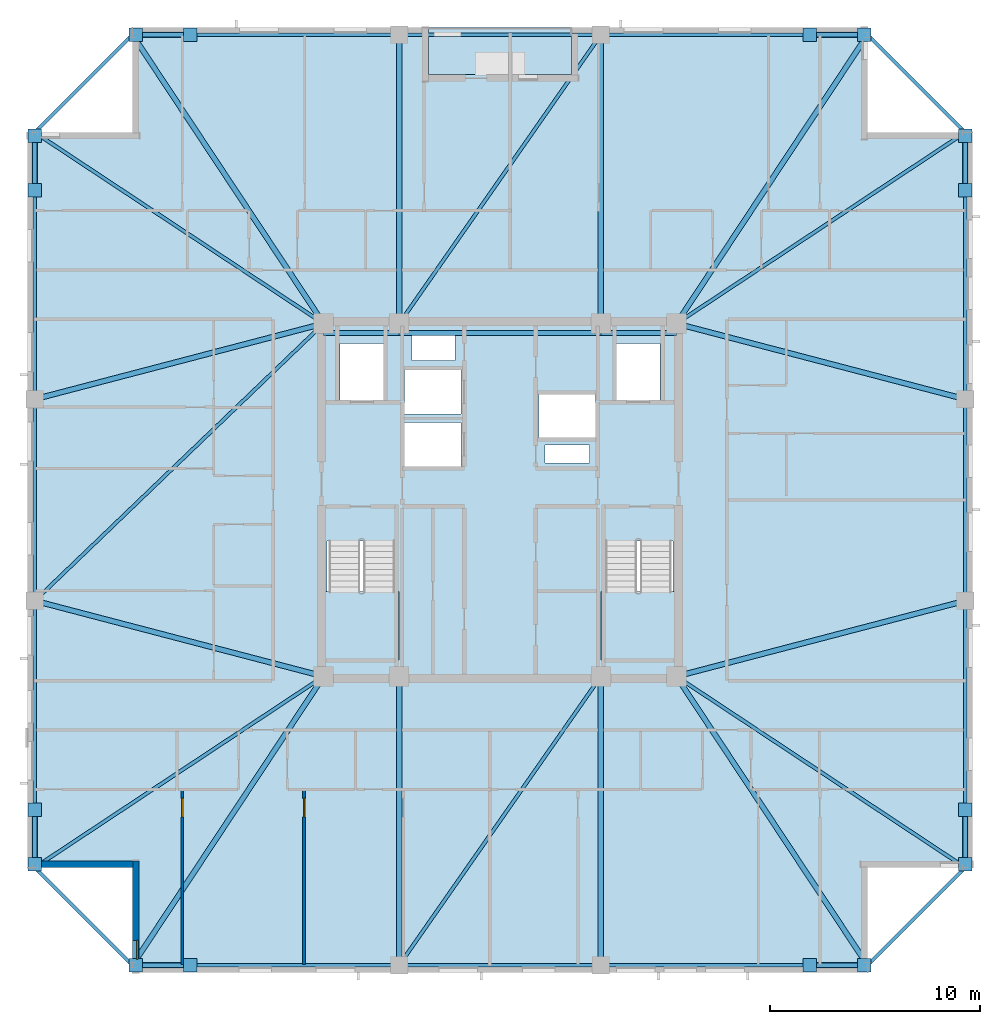
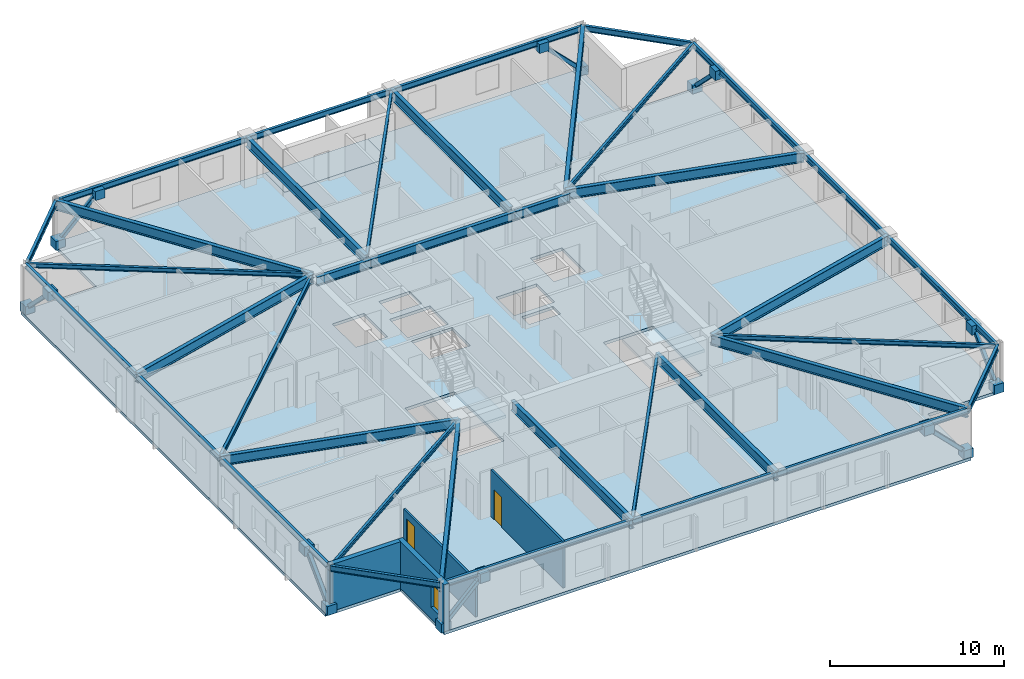
# One storey, part 6 of 17: 38 beams, 16 plates, 8 members, 4 slabs, 4 walls, 2 doors, 1 window, 3 openings, 2 elements without a shape of their own.
"""IFC4 building model written with IfcOpenShell, lengths in metres."""

from ifc_helpers import new_model, si_unit, direction, frame, frame_2d, origin, origin_2d, place, context, subcontext, project, spatial, polyline, rectangle, hollow_rectangle, i_section, outline, extrude, material, layer, layer_set, material_profile, profile_set, type_object, element, fill, aggregate, save


model = new_model("IFC4")

# Units and contexts
model_context = context("Model", 3, precision=1e-05, world=origin(), true_north=direction((0.0, 1.0)))
body_context = subcontext(model_context, "Body", "Model", "MODEL_VIEW")
ifc_project = project(units=[si_unit("LENGTHUNIT", "METRE"), si_unit("AREAUNIT", "SQUARE_METRE"), si_unit("VOLUMEUNIT", "CUBIC_METRE"), si_unit("PLANEANGLEUNIT", "RADIAN"), si_unit("MASSUNIT", "GRAM", prefix="KILO")], contexts=[model_context])

# Site, building, storey
site_placement = place(None, origin())
site = spatial("IfcSite", under=ifc_project, at=site_placement, CompositionType="ELEMENT")
building_placement = place(site_placement, origin())
building = spatial("IfcBuilding", under=site, at=building_placement, Name="Cairnveth Concourse Tower", CompositionType="ELEMENT")
storey_placement = place(building_placement, frame((0.0, 0.0, 209.5)))
storey = spatial("IfcBuildingStorey", under=building, at=storey_placement, Name="L57", CompositionType="ELEMENT", Elevation=209.5)

# Beams
ifc_material_1 = material(Name="Steel Grade 350", Category="steel")
ifc_material_profile_1 = material_profile(ifc_material_1, i_section(OverallWidth=0.22802734375, OverallDepth=0.60693359375, WebThickness=0.01123046875, FlangeThickness=0.017333984375, FilletRadius=0.013916015625, at=origin_2d()), Name="610UB113")
ifc_profile_set_1 = profile_set([ifc_material_profile_1], Name="Steel Grade 350")
beam_type_1 = type_object("IfcBeamType", Name="CORE TIE BEAM 610UB113", PredefinedType="T_BEAM", material=ifc_profile_set_1)
for number, where, z_axis, x_axis, name in (
    (1, (43.60009765625, 46.949951171875, 2.986572265625), (1.0, 0.0, 0.0), (0.0, 1.0, 0.0), "Beam CT-N1 L57"),
    (2, (56.800048828125, 46.949951171875, 2.986572265625), (1.0, 0.0, 0.0), (0.0, 1.0, 0.0), "Beam CT-N3 L57"),
):
    element("IfcBeam", number, at=place(storey_placement, frame(where, z_axis=z_axis, x_axis=x_axis)), inside=storey, type_object=beam_type_1, Name=name, PredefinedType="T_BEAM", context=body_context, shape_type="SweptSolid", body=[
        extrude(i_section(OverallWidth=0.22802734375, OverallDepth=0.60693359375, WebThickness=0.01123046875, FlangeThickness=0.017333984375, FilletRadius=0.013916015625, at=origin_2d()), origin(), (0.0, 0.0, 1.0), 3.599853515625),
    ])
beam_1_placement = place(storey_placement, frame((47.199951171875, 46.949951171875, 2.986572265625), z_axis=(1.0, 0.0, 0.0), x_axis=(0.0, 1.0, 0.0)))
element("IfcBeam", 3, at=beam_1_placement, inside=storey, type_object=beam_type_1, Name="Beam CT-N2 L57", PredefinedType="T_BEAM", context=body_context, shape_type="SweptSolid", body=[
    extrude(i_section(OverallWidth=0.22802734375, OverallDepth=0.60693359375, WebThickness=0.01123046875, FlangeThickness=0.017333984375, FilletRadius=0.013916015625, at=origin_2d()), origin(), (0.0, 0.0, 1.0), 9.60009765625),
])
ifc_material_profile_2 = material_profile(ifc_material_1, i_section(OverallWidth=0.166015625, OverallDepth=0.306884765625, WebThickness=0.006591796875, FlangeThickness=0.01171875, FilletRadius=0.010986328125, at=origin_2d()), Name="310UB46.2")
ifc_profile_set_2 = profile_set([ifc_material_profile_2], Name="Steel Grade 350")
beam_type_2 = type_object("IfcBeamType", Name="ZONE 3 FLOOR JOIST 310UB46.2", PredefinedType="JOIST", material=ifc_profile_set_2)
for number, where, z_axis, x_axis, name in (
    (4, (29.85009765625, 21.5, 3.136474609375), (0.833908956207, 0.551902031848, 0.0), (-0.551902031848, 0.833908956207, 0.0), "Beam FJ-CSW2 L57"),
    (5, (74.14990234375, 21.5, 3.136474609375), (-0.833908956207, 0.551902031848, 0.0), (-0.551902031848, -0.833908956207, 0.0), "Beam FJ-CSE2 L57"),
    (6, (74.14990234375, 56.5, 3.136474609375), (-0.833908956207, -0.551902031848, 0.0), (0.551902031848, -0.833908956207, 0.0), "Beam FJ-CNE2 L57"),
    (7, (29.85009765625, 56.5, 3.136474609375), (0.833908956207, -0.551902031848, 0.0), (0.551902031848, 0.833908956207, 0.0), "Beam FJ-CNW2 L57"),
):
    element("IfcBeam", number, at=place(storey_placement, frame(where, z_axis=z_axis, x_axis=x_axis)), inside=storey, type_object=beam_type_2, Name=name, PredefinedType="JOIST", context=body_context, shape_type="SweptSolid", body=[
        extrude(i_section(OverallWidth=0.166015625, OverallDepth=0.306884765625, WebThickness=0.006591796875, FlangeThickness=0.01171875, FilletRadius=0.010986328125, at=origin_2d()), origin(), (0.0, 0.0, 1.0), 16.488525390625),
    ])
for number, where, z_axis, x_axis, name in (
    (8, (47.199951171875, 16.85009765625, 3.136474609375), (0.572465304893, 0.819928944905, 0.0), (-0.819928944905, 0.572465304893, 0.0), "Beam FJ-S-M1 L57"),
    (9, (47.199951171875, 47.39990234375, 3.136474609375), (0.572465304893, 0.819928944905, 0.0), (-0.819928944905, 0.572465304893, 0.0), "Beam FJ-N-M1 L57"),
):
    element("IfcBeam", number, at=place(storey_placement, frame(where, z_axis=z_axis, x_axis=x_axis)), inside=storey, type_object=beam_type_2, Name=name, PredefinedType="JOIST", context=body_context, shape_type="SweptSolid", body=[
        extrude(i_section(OverallWidth=0.166015625, OverallDepth=0.306884765625, WebThickness=0.006591796875, FlangeThickness=0.01171875, FilletRadius=0.010986328125, at=origin_2d()), origin(), (0.0, 0.0, 1.0), 16.769775390625),
    ])
beam_2_placement = place(storey_placement, frame((29.85009765625, 34.199951171875, 3.136474609375), z_axis=(0.721388600838, 0.692530495055, 0.0), x_axis=(-0.692530495055, 0.721388600838, 0.0)))
element("IfcBeam", 10, at=beam_2_placement, inside=storey, type_object=beam_type_2, Name="Beam FJ-W-M1 L57", PredefinedType="JOIST", context=body_context, shape_type="SweptSolid", body=[
    extrude(i_section(OverallWidth=0.166015625, OverallDepth=0.306884765625, WebThickness=0.006591796875, FlangeThickness=0.01171875, FilletRadius=0.010986328125, at=origin_2d()), origin(), (0.0, 0.0, 1.0), 19.060546875),
])

# Members
ifc_material_2 = material(Name="Steel C350L0 (350 MPa)", Category="steel")
ifc_material_profile_3 = material_profile(ifc_material_2, hollow_rectangle(XDim=0.25, YDim=0.25, WallThickness=0.012451171875, InnerFilletRadius=0.012939453125, OuterFilletRadius=0.02490234375, at=origin_2d()), Name="250x250x12.5SHS")
ifc_profile_set_3 = profile_set([ifc_material_profile_3], Name="Steel C350L0 (350 MPa)")
member_type = type_object("IfcMemberType", Name="ZONE 3 PIER BRACE 250X250X12.5SHS", PredefinedType="BRACE", material=ifc_profile_set_3)
for number, where, z_axis, x_axis, name in (
    (11, (34.64990234375, 16.85009765625, 0.25), (0.708469186186, 0.0, 0.705741746126), (0.0, 1.0, 0.0), "Structural Brace PB-S1 L57"),
    (12, (69.35009765625, 16.85009765625, 0.25), (-0.708469186186, 0.0, 0.705741746126), (0.0, -1.0, 0.0), "Structural Brace PB-S2 L57"),
    (13, (34.64990234375, 61.14990234375, 0.25), (0.708469186186, 0.0, 0.705741746126), (0.0, 1.0, 0.0), "Structural Brace PB-N1 L57"),
    (14, (69.35009765625, 61.14990234375, 0.25), (-0.708469186186, 0.0, 0.705741746126), (0.0, -1.0, 0.0), "Structural Brace PB-N2 L57"),
    (15, (29.85009765625, 21.64990234375, 0.25), (0.0, 0.708469186186, 0.705741746126), (-1.0, 0.0, 0.0), "Structural Brace PB-W1 L57"),
    (16, (29.85009765625, 56.35009765625, 0.25), (0.0, -0.708469186186, 0.705741746126), (1.0, 0.0, 0.0), "Structural Brace PB-W2 L57"),
    (17, (74.14990234375, 21.64990234375, 0.25), (0.0, 0.708469186186, 0.705741746126), (-1.0, 0.0, 0.0), "Structural Brace PB-E1 L57"),
    (18, (74.14990234375, 56.35009765625, 0.25), (0.0, -0.708469186186, 0.705741746126), (1.0, 0.0, 0.0), "Structural Brace PB-E2 L57"),
):
    element("IfcMember", number, at=place(storey_placement, frame(where, z_axis=z_axis, x_axis=x_axis)), inside=storey, type_object=member_type, Name=name, PredefinedType="BRACE", context=body_context, shape_type="SweptSolid", body=[
        extrude(hollow_rectangle(XDim=0.25, YDim=0.25, WallThickness=0.012451171875, InnerFilletRadius=0.012939453125, OuterFilletRadius=0.02490234375, at=origin_2d()), origin(), (0.0, 0.0, 1.0), 3.669921875),
    ])

# Beams
ifc_material_profile_4 = material_profile(ifc_material_1, i_section(OverallWidth=0.25, OverallDepth=0.69189453125, WebThickness=0.010009765625, FlangeThickness=0.02490234375, at=origin_2d()), Name="700WB150")
ifc_profile_set_4 = profile_set([ifc_material_profile_4], Name="Steel Grade 350")
beam_type_3 = type_object("IfcBeamType", Name="ZONE 3 RADIAL GIRDER 700WB150", PredefinedType="BEAM", material=ifc_profile_set_4)
for number, where, z_axis, x_axis, name in (
    (19, (47.199951171875, 16.85009765625, 2.944091796875), (0.0, 1.0, 0.0), (-1.0, 0.0, 0.0), "Beam RG-S1 L57"),
    (20, (56.800048828125, 16.85009765625, 2.944091796875), (0.0, 1.0, 0.0), (-1.0, 0.0, 0.0), "Beam RG-S2 L57"),
    (21, (47.199951171875, 47.39990234375, 2.944091796875), (0.0, 1.0, 0.0), (-1.0, 0.0, 0.0), "Beam RG-N1 L57"),
    (22, (56.800048828125, 47.39990234375, 2.944091796875), (0.0, 1.0, 0.0), (-1.0, 0.0, 0.0), "Beam RG-N2 L57"),
):
    element("IfcBeam", number, at=place(storey_placement, frame(where, z_axis=z_axis, x_axis=x_axis)), inside=storey, type_object=beam_type_3, Name=name, PredefinedType="BEAM", context=body_context, shape_type="SweptSolid", body=[
        extrude(i_section(OverallWidth=0.25, OverallDepth=0.69189453125, WebThickness=0.010009765625, FlangeThickness=0.02490234375, at=origin_2d()), origin(), (0.0, 0.0, 1.0), 13.75),
    ])
for number, where, z_axis, x_axis, name in (
    (23, (29.85009765625, 34.199951171875, 2.944091796875), (0.967395273598, -0.253271365575, 0.0), (0.253271365575, 0.967395273598, 0.0), "Beam RG-W1 L57"),
    (24, (29.85009765625, 43.800048828125, 2.944091796875), (0.967395273598, 0.253271365575, 0.0), (-0.253271365575, 0.967395273598, 0.0), "Beam RG-W2 L57"),
    (25, (60.39990234375, 30.60009765625, 2.944091796875), (0.967395273598, 0.253271365575, 0.0), (-0.253271365575, 0.967395273598, 0.0), "Beam RG-E1 L57"),
    (26, (60.39990234375, 47.39990234375, 2.944091796875), (0.967395273598, -0.253271365575, 0.0), (0.253271365575, 0.967395273598, 0.0), "Beam RG-E2 L57"),
):
    element("IfcBeam", number, at=place(storey_placement, frame(where, z_axis=z_axis, x_axis=x_axis)), inside=storey, type_object=beam_type_3, Name=name, PredefinedType="BEAM", context=body_context, shape_type="SweptSolid", body=[
        extrude(i_section(OverallWidth=0.25, OverallDepth=0.69189453125, WebThickness=0.010009765625, FlangeThickness=0.02490234375, at=origin_2d()), origin(), (0.0, 0.0, 1.0), 14.21337890625),
    ])
for number, where, z_axis, x_axis, name in (
    (27, (34.5, 16.85009765625, 2.944091796875), (0.551902031848, 0.833908956207, 0.0), (-0.833908956207, 0.551902031848, 0.0), "Beam RG-CSW L57"),
    (28, (69.5, 16.85009765625, 2.944091796875), (-0.551902031848, 0.833908956207, 0.0), (-0.833908956207, -0.551902031848, 0.0), "Beam RG-CSE L57"),
    (29, (69.5, 61.14990234375, 2.944091796875), (-0.551902031848, -0.833908956207, 0.0), (0.833908956207, -0.551902031848, 0.0), "Beam RG-CNE L57"),
    (30, (34.5, 61.14990234375, 2.944091796875), (0.551902031848, -0.833908956207, 0.0), (0.833908956207, 0.551902031848, 0.0), "Beam RG-CNW L57"),
):
    element("IfcBeam", number, at=place(storey_placement, frame(where, z_axis=z_axis, x_axis=x_axis)), inside=storey, type_object=beam_type_3, Name=name, PredefinedType="BEAM", context=body_context, shape_type="SweptSolid", body=[
        extrude(i_section(OverallWidth=0.25, OverallDepth=0.69189453125, WebThickness=0.010009765625, FlangeThickness=0.02490234375, at=origin_2d()), origin(), (0.0, 0.0, 1.0), 16.488525390625),
    ])
ifc_material_profile_5 = material_profile(ifc_material_1, i_section(OverallWidth=0.177978515625, OverallDepth=0.406005859375, WebThickness=0.0078125, FlangeThickness=0.0126953125, FilletRadius=0.010986328125, at=origin_2d()), Name="410UB59.7")
ifc_profile_set_5 = profile_set([ifc_material_profile_5], Name="Steel Grade 350")
beam_type_4 = type_object("IfcBeamType", Name="ZONE 3 SPANDREL BEAM 410UB59.7", PredefinedType="SPANDREL", material=ifc_profile_set_5)
beam_3_placement = place(storey_placement, frame((34.5, 16.85009765625, 3.0869140625), z_axis=(1.0, 0.0, 0.0), x_axis=(0.0, 1.0, 0.0)))
element("IfcBeam", 31, at=beam_3_placement, inside=storey, type_object=beam_type_4, Name="Beam SP-S1 L57", PredefinedType="SPANDREL", context=body_context, shape_type="SweptSolid", body=[
    extrude(i_section(OverallWidth=0.177978515625, OverallDepth=0.406005859375, WebThickness=0.0078125, FlangeThickness=0.0126953125, FilletRadius=0.010986328125, at=origin_2d()), origin(), (0.0, 0.0, 1.0), 12.699951171875),
])
beam_4_placement = place(storey_placement, frame((47.199951171875, 16.85009765625, 3.0869140625), z_axis=(1.0, 0.0, 0.0), x_axis=(0.0, 1.0, 0.0)))
element("IfcBeam", 32, at=beam_4_placement, inside=storey, type_object=beam_type_4, Name="Beam SP-S2 L57", PredefinedType="SPANDREL", context=body_context, shape_type="SweptSolid", body=[
    extrude(i_section(OverallWidth=0.177978515625, OverallDepth=0.406005859375, WebThickness=0.0078125, FlangeThickness=0.0126953125, FilletRadius=0.010986328125, at=origin_2d()), origin(), (0.0, 0.0, 1.0), 9.60009765625),
])
for number, where, z_axis, x_axis, name in (
    (33, (56.800048828125, 16.85009765625, 3.0869140625), (1.0, 0.0, 0.0), (0.0, 1.0, 0.0), "Beam SP-S3 L57"),
    (34, (34.5, 61.14990234375, 3.0869140625), (1.0, 0.0, 0.0), (0.0, 1.0, 0.0), "Beam SP-N1 L57"),
):
    element("IfcBeam", number, at=place(storey_placement, frame(where, z_axis=z_axis, x_axis=x_axis)), inside=storey, type_object=beam_type_4, Name=name, PredefinedType="SPANDREL", context=body_context, shape_type="SweptSolid", body=[
        extrude(i_section(OverallWidth=0.177978515625, OverallDepth=0.406005859375, WebThickness=0.0078125, FlangeThickness=0.0126953125, FilletRadius=0.010986328125, at=origin_2d()), origin(), (0.0, 0.0, 1.0), 12.699951171875),
    ])
beam_5_placement = place(storey_placement, frame((47.199951171875, 61.14990234375, 3.0869140625), z_axis=(1.0, 0.0, 0.0), x_axis=(0.0, 1.0, 0.0)))
element("IfcBeam", 35, at=beam_5_placement, inside=storey, type_object=beam_type_4, Name="Beam SP-N2 L57", PredefinedType="SPANDREL", context=body_context, shape_type="SweptSolid", body=[
    extrude(i_section(OverallWidth=0.177978515625, OverallDepth=0.406005859375, WebThickness=0.0078125, FlangeThickness=0.0126953125, FilletRadius=0.010986328125, at=origin_2d()), origin(), (0.0, 0.0, 1.0), 9.60009765625),
])
for number, where, z_axis, x_axis, name in (
    (36, (56.800048828125, 61.14990234375, 3.0869140625), (1.0, 0.0, 0.0), (0.0, 1.0, 0.0), "Beam SP-N3 L57"),
    (37, (29.85009765625, 21.5, 3.0869140625), (0.0, 1.0, 0.0), (-1.0, 0.0, 0.0), "Beam SP-W1 L57"),
):
    element("IfcBeam", number, at=place(storey_placement, frame(where, z_axis=z_axis, x_axis=x_axis)), inside=storey, type_object=beam_type_4, Name=name, PredefinedType="SPANDREL", context=body_context, shape_type="SweptSolid", body=[
        extrude(i_section(OverallWidth=0.177978515625, OverallDepth=0.406005859375, WebThickness=0.0078125, FlangeThickness=0.0126953125, FilletRadius=0.010986328125, at=origin_2d()), origin(), (0.0, 0.0, 1.0), 12.699951171875),
    ])
beam_6_placement = place(storey_placement, frame((29.85009765625, 34.199951171875, 3.0869140625), z_axis=(0.0, 1.0, 0.0), x_axis=(-1.0, 0.0, 0.0)))
element("IfcBeam", 38, at=beam_6_placement, inside=storey, type_object=beam_type_4, Name="Beam SP-W2 L57", PredefinedType="SPANDREL", context=body_context, shape_type="SweptSolid", body=[
    extrude(i_section(OverallWidth=0.177978515625, OverallDepth=0.406005859375, WebThickness=0.0078125, FlangeThickness=0.0126953125, FilletRadius=0.010986328125, at=origin_2d()), origin(), (0.0, 0.0, 1.0), 9.60009765625),
])
for number, where, z_axis, x_axis, name in (
    (39, (29.85009765625, 43.800048828125, 3.0869140625), (0.0, 1.0, 0.0), (-1.0, 0.0, 0.0), "Beam SP-W3 L57"),
    (40, (74.14990234375, 21.5, 3.0869140625), (0.0, 1.0, 0.0), (-1.0, 0.0, 0.0), "Beam SP-E1 L57"),
):
    element("IfcBeam", number, at=place(storey_placement, frame(where, z_axis=z_axis, x_axis=x_axis)), inside=storey, type_object=beam_type_4, Name=name, PredefinedType="SPANDREL", context=body_context, shape_type="SweptSolid", body=[
        extrude(i_section(OverallWidth=0.177978515625, OverallDepth=0.406005859375, WebThickness=0.0078125, FlangeThickness=0.0126953125, FilletRadius=0.010986328125, at=origin_2d()), origin(), (0.0, 0.0, 1.0), 12.699951171875),
    ])
beam_7_placement = place(storey_placement, frame((74.14990234375, 34.199951171875, 3.0869140625), z_axis=(0.0, 1.0, 0.0), x_axis=(-1.0, 0.0, 0.0)))
element("IfcBeam", 41, at=beam_7_placement, inside=storey, type_object=beam_type_4, Name="Beam SP-E2 L57", PredefinedType="SPANDREL", context=body_context, shape_type="SweptSolid", body=[
    extrude(i_section(OverallWidth=0.177978515625, OverallDepth=0.406005859375, WebThickness=0.0078125, FlangeThickness=0.0126953125, FilletRadius=0.010986328125, at=origin_2d()), origin(), (0.0, 0.0, 1.0), 9.60009765625),
])
beam_8_placement = place(storey_placement, frame((74.14990234375, 43.800048828125, 3.0869140625), z_axis=(0.0, 1.0, 0.0), x_axis=(-1.0, 0.0, 0.0)))
element("IfcBeam", 42, at=beam_8_placement, inside=storey, type_object=beam_type_4, Name="Beam SP-E3 L57", PredefinedType="SPANDREL", context=body_context, shape_type="SweptSolid", body=[
    extrude(i_section(OverallWidth=0.177978515625, OverallDepth=0.406005859375, WebThickness=0.0078125, FlangeThickness=0.0126953125, FilletRadius=0.010986328125, at=origin_2d()), origin(), (0.0, 0.0, 1.0), 12.699951171875),
])
for number, where, z_axis, x_axis, name in (
    (43, (29.85009765625, 21.5, 3.0869140625), (0.707106781187, -0.707106781187, 0.0), (0.707106781187, 0.707106781187, 0.0), "Beam SP-SW L57"),
    (44, (69.5, 16.85009765625, 3.0869140625), (0.707106781187, 0.707106781187, 0.0), (-0.707106781187, 0.707106781187, 0.0), "Beam SP-SE L57"),
    (45, (69.5, 61.14990234375, 3.0869140625), (0.707106781187, -0.707106781187, 0.0), (0.707106781187, 0.707106781187, 0.0), "Beam SP-NE L57"),
    (46, (29.85009765625, 56.5, 3.0869140625), (0.707106781187, 0.707106781187, 0.0), (-0.707106781187, 0.707106781187, 0.0), "Beam SP-NW L57"),
):
    element("IfcBeam", number, at=place(storey_placement, frame(where, z_axis=z_axis, x_axis=x_axis)), inside=storey, type_object=beam_type_4, Name=name, PredefinedType="SPANDREL", context=body_context, shape_type="SweptSolid", body=[
        extrude(i_section(OverallWidth=0.177978515625, OverallDepth=0.406005859375, WebThickness=0.0078125, FlangeThickness=0.0126953125, FilletRadius=0.010986328125, at=origin_2d()), origin(), (0.0, 0.0, 1.0), 6.575927734375),
    ])

# Plates
ifc_layer_1 = layer(ifc_material_1, 0.031982421875)
ifc_layer_set_1 = layer_set([ifc_layer_1], Name="Steel Grade 350")
plate_type = type_object("IfcPlateType", Name="PERIMETER BRACE GUSSET PLATE 32", PredefinedType="USERDEFINED", material=ifc_layer_set_1)
for number, where, z_axis, x_axis, name in (
    (47, (34.64990234375, 16.85009765625, -0.06982421875), (0.0, 0.0, 1.0), (1.0, 0.0, 0.0), "Structural Node Plate 0997 L57"),
    (48, (37.25, 16.85009765625, 2.52001953125), (0.0, 0.0, 1.0), (1.0, 0.0, 0.0), "Structural Node Plate 0998 L57"),
    (49, (69.35009765625, 16.85009765625, -0.06982421875), (0.0, 0.0, 1.0), (1.0, 0.0, 0.0), "Structural Node Plate 0999 L57"),
    (50, (66.75, 16.85009765625, 2.52001953125), (0.0, 0.0, 1.0), (1.0, 0.0, 0.0), "Structural Node Plate 1000 L57"),
    (51, (34.64990234375, 61.14990234375, -0.06982421875), (0.0, 0.0, 1.0), (1.0, 0.0, 0.0), "Structural Node Plate 1001 L57"),
    (52, (37.25, 61.14990234375, 2.52001953125), (0.0, 0.0, 1.0), (1.0, 0.0, 0.0), "Structural Node Plate 1002 L57"),
    (53, (69.35009765625, 61.14990234375, -0.06982421875), (0.0, 0.0, 1.0), (1.0, 0.0, 0.0), "Structural Node Plate 1003 L57"),
    (54, (66.75, 61.14990234375, 2.52001953125), (0.0, 0.0, 1.0), (1.0, 0.0, 0.0), "Structural Node Plate 1004 L57"),
    (55, (29.85009765625, 21.64990234375, -0.06982421875), (0.0, 0.0, 1.0), (1.0, 0.0, 0.0), "Structural Node Plate 1005 L57"),
    (56, (29.85009765625, 24.25, 2.52001953125), (0.0, 0.0, 1.0), (1.0, 0.0, 0.0), "Structural Node Plate 1006 L57"),
    (57, (29.85009765625, 56.35009765625, -0.06982421875), (0.0, 0.0, 1.0), (1.0, 0.0, 0.0), "Structural Node Plate 1007 L57"),
    (58, (29.85009765625, 53.75, 2.52001953125), (0.0, 0.0, 1.0), (1.0, 0.0, 0.0), "Structural Node Plate 1008 L57"),
    (59, (74.14990234375, 21.64990234375, -0.06982421875), (0.0, 0.0, 1.0), (1.0, 0.0, 0.0), "Structural Node Plate 1009 L57"),
    (60, (74.14990234375, 24.25, 2.52001953125), (0.0, 0.0, 1.0), (1.0, 0.0, 0.0), "Structural Node Plate 1010 L57"),
    (61, (74.14990234375, 56.35009765625, -0.06982421875), (0.0, 0.0, 1.0), (1.0, 0.0, 0.0), "Structural Node Plate 1011 L57"),
    (62, (74.14990234375, 53.75, 2.52001953125), (0.0, 0.0, 1.0), (1.0, 0.0, 0.0), "Structural Node Plate 1012 L57"),
):
    element("IfcPlate", number, at=place(storey_placement, frame(where, z_axis=z_axis, x_axis=x_axis)), inside=storey, type_object=plate_type, Name=name, ObjectType="GUSSET PLATE", PredefinedType="USERDEFINED", context=body_context, shape_type="SweptSolid", body=[
        extrude(rectangle(XDim=0.639892578125, YDim=0.639892578125, at=origin_2d()), origin(), (0.0, 0.0, 1.0), 0.639892578125),
    ])

# Slab
ifc_material_3 = material(Name="Concrete N50 (50 MPa)", Category="concrete")
ifc_layer_2 = layer(ifc_material_3, 0.18994140625)
ifc_layer_set_2 = layer_set([ifc_layer_2], Name="Concrete N50 (50 MPa)")
slab_type_1 = type_object("IfcSlabType", Name="SPIRAL OUTDOOR TERRACE SLAB 190", PredefinedType="FLOOR", material=ifc_layer_set_2)
slab_1_placement = place(storey_placement, frame((0.0, 0.0, -0.18994140625)))
element("IfcSlab", 63, at=slab_1_placement, inside=storey, type_object=slab_type_1, Name="Spiral Terrace Slab L57", PredefinedType="FLOOR", context=body_context, shape_type="SweptSolid", body=[
    extrude(outline(polyline([(48.60009765625, 59.25), (55.39990234375, 59.25), (55.39990234375, 61.5), (48.60009765625, 61.5), (48.60009765625, 59.25)])), origin(), (0.0, 0.0, 1.0), 0.18994140625),
])

# Stair, slab
ifc_material_4 = material(Name="Precast concrete N50 (50 MPa)", Category="concrete")
stair_type = type_object("IfcStairType", Name="CORE DOG-LEG FIRE STAIR 1500", PredefinedType="HALF_TURN_STAIR", material=ifc_material_4)
stair_1_placement = place(storey_placement, origin())
stair_1 = element("IfcStair", 64, at=stair_1_placement, inside=storey, type_object=stair_type, Name="L57 Fire-Isolated Stair ST-1", PredefinedType="HALF_TURN_STAIR")
ifc_layer_3 = layer(ifc_material_3, 0.199951171875)
ifc_layer_set_3 = layer_set([ifc_layer_3], Name="Concrete N50 (50 MPa)")
slab_type_2 = type_object("IfcSlabType", Name="STAIR HALF LANDING SLAB 200", PredefinedType="LANDING", material=ifc_layer_set_3)
slab_2_placement = place(storey_placement, frame((0.0, 0.0, 1.550048828125)))
slab_2 = element("IfcSlab", 65, at=slab_2_placement, type_object=slab_type_2, Name="ST-1 landing 1", PredefinedType="LANDING", context=body_context, shape_type="SweptSolid", body=[
    extrude(outline(polyline([(43.6201171875, 34.639892578125), (43.6201171875, 31.3701171875), (47.199951171875, 31.3701171875), (47.199951171875, 34.639892578125), (43.6201171875, 34.639892578125)])), origin(), (0.0, 0.0, 1.0), 0.199951171875),
])
aggregate(stair_1, [slab_2])

stair_2_placement = place(storey_placement, origin())
stair_2 = element("IfcStair", 66, at=stair_2_placement, inside=storey, type_object=stair_type, Name="L57 Fire-Isolated Stair ST-2", PredefinedType="HALF_TURN_STAIR")
slab_3_placement = place(storey_placement, frame((0.0, 0.0, 1.550048828125)))
slab_3 = element("IfcSlab", 67, at=slab_3_placement, type_object=slab_type_2, Name="ST-2 landing 1", PredefinedType="LANDING", context=body_context, shape_type="SweptSolid", body=[
    extrude(outline(polyline([(56.800048828125, 34.639892578125), (56.800048828125, 31.3701171875), (60.3798828125, 31.3701171875), (60.3798828125, 34.639892578125), (56.800048828125, 34.639892578125)])), origin(), (0.0, 0.0, 1.0), 0.199951171875),
])
aggregate(stair_2, [slab_3])

# Slab
ifc_layer_4 = layer(ifc_material_3, 0.2099609375)
ifc_layer_set_4 = layer_set([ifc_layer_4], Name="Concrete N50 (50 MPa)")
slab_type_3 = type_object("IfcSlabType", Name="UPPER TOWER COMPOSITE SLAB 210", PredefinedType="FLOOR", material=ifc_layer_set_4)
slab_4_placement = place(storey_placement, frame((0.0, 0.0, -0.2099609375)))
element("IfcSlab", 68, at=slab_4_placement, inside=storey, type_object=slab_type_3, Name="Tower Floor Slab L57", PredefinedType="FLOOR", context=body_context, shape_type="SweptSolid", body=[
    extrude(outline(polyline([(55.39990234375, 61.5), (55.39990234375, 59.25), (48.60009765625, 59.25), (48.60009765625, 61.5), (34.5, 61.5), (34.5, 56.5), (29.5, 56.5), (29.5, 21.5), (34.5, 21.5), (34.5, 16.5), (69.5, 16.5), (69.5, 21.5), (74.5, 21.5), (74.5, 56.5), (69.5, 56.5), (69.5, 61.5), (55.39990234375, 61.5)]), holes=[polyline([(43.760009765625, 31.360107421875), (47.06005859375, 31.360107421875), (47.06005859375, 37.0400390625), (43.760009765625, 37.0400390625), (43.760009765625, 31.360107421875)]), polyline([(56.93994140625, 31.360107421875), (60.239990234375, 31.360107421875), (60.239990234375, 37.0400390625), (56.93994140625, 37.0400390625), (56.93994140625, 31.360107421875)]), polyline([(44.3701171875, 43.75), (46.469970703125, 43.75), (46.469970703125, 46.449951171875), (44.3701171875, 46.449951171875), (44.3701171875, 43.75)]), polyline([(57.530029296875, 43.75), (59.6298828125, 43.75), (59.6298828125, 46.449951171875), (57.530029296875, 46.449951171875), (57.530029296875, 43.75)]), polyline([(47.449951171875, 40.60009765625), (50.14990234375, 40.60009765625), (50.14990234375, 42.699951171875), (47.449951171875, 42.699951171875), (47.449951171875, 40.60009765625)]), polyline([(47.449951171875, 43.10009765625), (50.14990234375, 43.10009765625), (50.14990234375, 45.199951171875), (47.449951171875, 45.199951171875), (47.449951171875, 43.10009765625)]), polyline([(53.85009765625, 41.949951171875), (56.550048828125, 41.949951171875), (56.550048828125, 44.050048828125), (53.85009765625, 44.050048828125), (53.85009765625, 41.949951171875)]), polyline([(47.800048828125, 45.64990234375), (49.85009765625, 45.64990234375), (49.85009765625, 47.050048828125), (47.800048828125, 47.050048828125), (47.800048828125, 45.64990234375)]), polyline([(54.14990234375, 40.75), (56.25, 40.75), (56.25, 41.6201171875), (54.14990234375, 41.6201171875), (54.14990234375, 40.75)])]), origin(), (0.0, 0.0, 1.0), 0.2099609375),
])

# Wall, opening, door
ifc_material_5 = material(Name="Gypsum Plasterboard Partition", Category="gypsum")
ifc_layer_5 = layer(ifc_material_5, 0.139892578125)
ifc_layer_set_5 = layer_set([ifc_layer_5], Name="Gypsum Plasterboard Partition")
wall_type_1 = type_object("IfcWallType", Name="GYPSUM STUD PARTITION 140", PredefinedType="PARTITIONING", material=ifc_layer_set_5)
wall_1_placement = place(storey_placement, frame((36.8701171875, 16.8798828125, 0.0), z_axis=(0.0, 0.0, 1.0), x_axis=(0.0, 1.0, 0.0)))
wall_1 = element("IfcWall", 69, at=wall_1_placement, inside=storey, type_object=wall_type_1, Name="Interior Wall IW-L57-049", PredefinedType="PARTITIONING", context=body_context, shape_type="SweptSolid", body=[
    extrude(rectangle(XDim=8.2900390625, YDim=0.139892578125, at=frame_2d((4.14501953125, 0.0))), origin(), (0.0, 0.0, 1.0), 2.572998046875),
])
opening_1_placement = place(wall_1_placement, frame((7.030029296875, 0.0, 0.0)))
opening_1 = element("IfcOpeningElement", 70, at=opening_1_placement, cuts=wall_1, Name="Opening ID18", PredefinedType="OPENING", context=body_context, shape_type="SweptSolid", body=[
    extrude(rectangle(XDim=0.8798828125, YDim=2.10009765625, at=frame_2d((0.43994140625, 1.050048828125))), frame((0.0, 0.079833984375, 0.0), z_axis=(0.0, -1.0, 0.0), x_axis=(1.0, 0.0, 0.0)), (0.0, 0.0, 1.0), 0.159912109375),
])
ifc_material_6 = material(Name="Solid Core Hardwood Timber Leaf", Category="wood")
door_type = type_object("IfcDoorType", Name="INTERIOR SINGLE DOOR 880X2100", OperationType="NOTDEFINED", PredefinedType="DOOR", material=ifc_material_6)
door_1_placement = place(opening_1_placement, origin())
door_1 = element("IfcDoor", 71, at=door_1_placement, inside=storey, type_object=door_type, Name="L57S1 Master Bedroom Door", OperationType="SINGLE_SWING_LEFT", OverallHeight=2.10009765625, OverallWidth=0.8798828125, PredefinedType="DOOR", context=body_context, shape_type="SweptSolid", body=[
    extrude(rectangle(XDim=0.8798828125, YDim=2.10009765625, at=frame_2d((0.43994140625, 1.050048828125))), frame((0.0, 0.02490234375, 0.0), z_axis=(0.0, -1.0, 0.0), x_axis=(1.0, 0.0, 0.0)), (0.0, 0.0, 1.0), 0.050048828125),
])
fill(opening_1, door_1)

wall_2_placement = place(storey_placement, frame((42.669921875, 16.8798828125, 0.0), z_axis=(0.0, 0.0, 1.0), x_axis=(0.0, 1.0, 0.0)))
wall_2 = element("IfcWall", 72, at=wall_2_placement, inside=storey, type_object=wall_type_1, Name="Interior Wall IW-L57-053", PredefinedType="PARTITIONING", context=body_context, shape_type="SweptSolid", body=[
    extrude(rectangle(XDim=8.2900390625, YDim=0.139892578125, at=frame_2d((4.14501953125, 0.0))), origin(), (0.0, 0.0, 1.0), 3.2900390625),
])
opening_2_placement = place(wall_2_placement, frame((7.030029296875, 0.0, 0.0)))
opening_2 = element("IfcOpeningElement", 73, at=opening_2_placement, cuts=wall_2, Name="Opening ID18", PredefinedType="OPENING", context=body_context, shape_type="SweptSolid", body=[
    extrude(rectangle(XDim=0.8798828125, YDim=2.10009765625, at=frame_2d((0.43994140625, 1.050048828125))), frame((0.0, 0.079833984375, 0.0), z_axis=(0.0, -1.0, 0.0), x_axis=(1.0, 0.0, 0.0)), (0.0, 0.0, 1.0), 0.159912109375),
])
door_2_placement = place(opening_2_placement, origin())
door_2 = element("IfcDoor", 74, at=door_2_placement, inside=storey, type_object=door_type, Name="L57S1 Media Lounge Door", OperationType="SINGLE_SWING_RIGHT", OverallHeight=2.10009765625, OverallWidth=0.8798828125, PredefinedType="DOOR", context=body_context, shape_type="SweptSolid", body=[
    extrude(rectangle(XDim=0.8798828125, YDim=2.10009765625, at=frame_2d((0.43994140625, 1.050048828125))), frame((0.0, 0.02490234375, 0.0), z_axis=(0.0, -1.0, 0.0), x_axis=(1.0, 0.0, 0.0)), (0.0, 0.0, 1.0), 0.050048828125),
])
fill(opening_2, door_2)

# Wall, opening, window
ifc_material_7 = material(Name="Melbourne Buff Fired Clay Brick Masonry", Category="masonry")
ifc_layer_6 = layer(ifc_material_7, 0.320068359375)
ifc_layer_set_6 = layer_set([ifc_layer_6], Name="Melbourne Buff Fired Clay Brick Masonry")
wall_type_2 = type_object("IfcWallType", Name="ZONE 3 BRICK PIER SPANDREL WALL 320", PredefinedType="SOLIDWALL", material=ifc_layer_set_6)
wall_3_placement = place(storey_placement, frame((34.659912109375, 16.5, 0.0), z_axis=(0.0, 0.0, 1.0), x_axis=(0.0, 1.0, 0.0)))
wall_3 = element("IfcWall", 75, at=wall_3_placement, inside=storey, type_object=wall_type_2, Name="Exterior Wall EW-L57-S07", PredefinedType="SOLIDWALL", context=body_context, shape_type="SweptSolid", body=[
    extrude(rectangle(XDim=5.320068359375, YDim=0.320068359375, at=frame_2d((2.66015625, 0.0))), origin(), (0.0, 0.0, 1.0), 3.2900390625),
])
opening_3_placement = place(wall_3_placement, frame((0.6298828125, 0.0, 0.800048828125)))
opening_3 = element("IfcOpeningElement", 76, at=opening_3_placement, cuts=wall_3, Name="Opening W13", PredefinedType="OPENING", context=body_context, shape_type="SweptSolid", body=[
    extrude(rectangle(XDim=0.89990234375, YDim=1.677978515625, at=frame_2d((0.449951171875, 0.8388671875))), frame((0.0, 0.169921875, 0.0), z_axis=(0.0, -1.0, 0.0), x_axis=(1.0, 0.0, 0.0)), (0.0, 0.0, 1.0), 0.340087890625),
])
ifc_material_8 = material(Name="Double Glazed Low-E Clear Glass", Category="glass")
window_type = type_object("IfcWindowType", Name="DEEP-SET BEDROOM LANCET WINDOW 900X1750", PartitioningType="DOUBLE_PANEL_VERTICAL", PredefinedType="WINDOW", material=ifc_material_8)
window_placement = place(opening_3_placement, origin())
window = element("IfcWindow", 77, at=window_placement, inside=storey, type_object=window_type, Name="Dwelling Lancet Window L57-DW1", OverallHeight=1.677978515625, OverallWidth=0.89990234375, PartitioningType="SINGLE_PANEL", PredefinedType="WINDOW", context=body_context, shape_type="SweptSolid", body=[
    extrude(rectangle(XDim=0.89990234375, YDim=1.677978515625, at=frame_2d((0.449951171875, 0.8388671875))), frame((0.0, -0.0400390625, 0.0), z_axis=(0.0, -1.0, 0.0), x_axis=(1.0, 0.0, 0.0)), (0.0, 0.0, 1.0), 0.06005859375),
])
fill(opening_3, window)

# Wall
wall_4_placement = place(storey_placement, frame((34.52197265625, 21.659912109375, 0.0), z_axis=(0.0, 0.0, 1.0), x_axis=(-1.0, 0.0, 0.0)))
element("IfcWall", 78, at=wall_4_placement, inside=storey, type_object=wall_type_2, Name="Exterior Wall EW-L57-S08", PredefinedType="SOLIDWALL", context=body_context, shape_type="SweptSolid", body=[
    extrude(rectangle(XDim=4.723876953125, YDim=0.320068359375, at=frame_2d((2.36181640625, 0.0))), origin(), (0.0, 0.0, 1.0), 3.2900390625),
])

save(model, "model.ifc")
